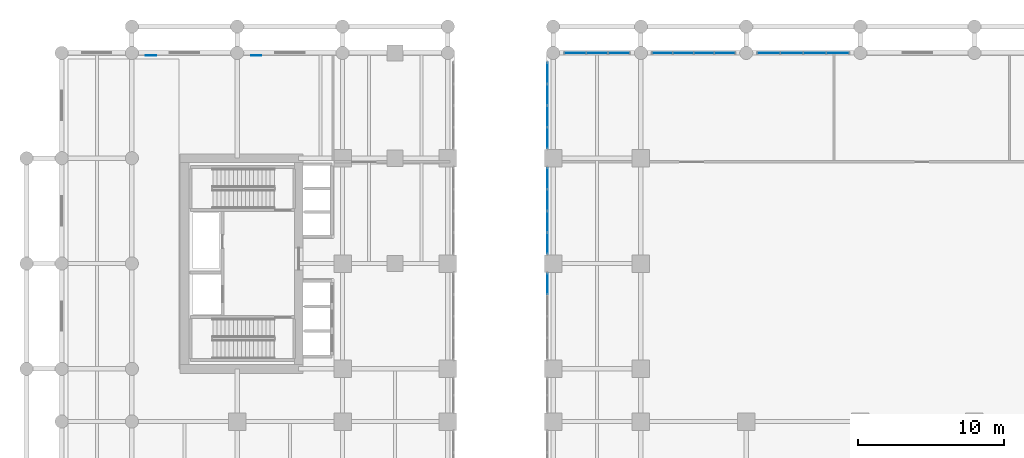
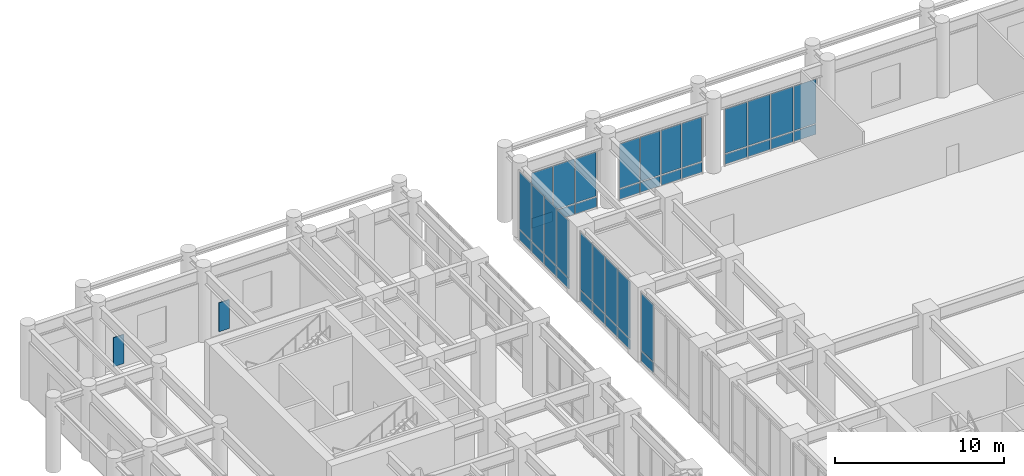
# One storey, part 13 of 23: 42 plates, 6 elements without a shape of their own.
"""IFC4 building model written with IfcOpenShell, lengths in metres."""

from ifc_helpers import new_model, si_unit, derived_unit, direction, frame, origin, origin_2d, place, context, subcontext, project, spatial, rectangle, extrude, source, transform, mapped, material, layer, layer_set, type_object, type_shapes, element, aggregate, save


model = new_model("IFC4")

# Units and contexts
model_context = context("Model", 3, precision=1e-05, world=origin(), true_north=direction((0.0, 1.0)))
body_context = subcontext(model_context, "Body", "Model", "MODEL_VIEW")
ifc_project = project(units=[si_unit("LENGTHUNIT", "METRE"), si_unit("AREAUNIT", "SQUARE_METRE"), si_unit("VOLUMEUNIT", "CUBIC_METRE"), si_unit("PLANEANGLEUNIT", "RADIAN"), si_unit("MASSUNIT", "GRAM", prefix="KILO"), si_unit("THERMODYNAMICTEMPERATUREUNIT", "KELVIN"), si_unit("POWERUNIT", "WATT"), derived_unit("THERMALTRANSMITTANCEUNIT", [(si_unit("POWERUNIT", "WATT"), 1), (si_unit("AREAUNIT", "SQUARE_METRE"), -1), (si_unit("THERMODYNAMICTEMPERATUREUNIT", "KELVIN"), -1)])], contexts=[model_context])

# Site, building, storey
site_placement = place(None, origin())
site = spatial("IfcSite", under=ifc_project, at=site_placement, CompositionType="ELEMENT")
building_placement = place(site_placement, origin())
building = spatial("IfcBuilding", under=site, at=building_placement, Name="Zahravan Archway Hotel and Residences", CompositionType="ELEMENT")
storey_placement = place(building_placement, frame((0.0, 0.0, 5.39990234375)))
storey = spatial("IfcBuildingStorey", under=building, at=storey_placement, Name="L01", CompositionType="ELEMENT", Elevation=5.39990234375)

# Curtain wall, plates
ifc_material_1 = material(Name="Bronze-Anodized Unitised Aluminium & Low-E Glass", Category="aluminium")
ifc_layer_1 = layer(ifc_material_1, 0.179931640625, Name="Bronze-Anodized Unitised Aluminium & Low-E Glass", Category="aluminium")
ifc_layer_set_1 = layer_set([ifc_layer_1], Name="Bronze-Anodized Unitised Aluminium & Low-E Glass")
curtain_wall_type = type_object("IfcCurtainWallType", Name="CW-POD-ARCH", PredefinedType="NOTDEFINED", material=ifc_layer_set_1)
curtain_wall_1_placement = place(storey_placement, origin())
curtain_wall_1 = element("IfcCurtainWall", 1, at=curtain_wall_1_placement, inside=storey, type_object=curtain_wall_type, Name="L01 Curtain Wall CW-POD-L01-1", PredefinedType="NOTDEFINED")
ifc_material_2 = material(Name="Insulated Terracotta Spandrel Panel", Category="masonry")
ifc_layer_2 = layer(ifc_material_2, 0.0400390625, Name="Insulated Terracotta Spandrel Panel", Category="masonry")
ifc_layer_set_2 = layer_set([ifc_layer_2], Name="Insulated Terracotta Spandrel Panel")
plate_type_1 = type_object("IfcPlateType", Name="CWP-SPN-40", PredefinedType="SHEET", material=ifc_layer_set_2)
shared_shape_1 = source(origin(), body_context, "Body", "SweptSolid", [
    extrude(rectangle(XDim=1.413330078125, YDim=0.0400390625, at=origin_2d()), origin(), (0.0, 0.0, 1.0), 0.7099609375),
])
type_shapes(plate_type_1, [shared_shape_1])
plate_1_placement = place(storey_placement, frame((30.306640625, 46.800048828125, 0.10009765625), z_axis=(0.0, 0.0, 1.0), x_axis=(1.0, 0.0, 0.0)))
plate_1 = element("IfcPlate", 2, at=plate_1_placement, type_object=plate_type_1, Name="CW-POD-L01-1 Spandrel Panel 0", PredefinedType="SHEET", context=body_context, shape_type="MappedRepresentation", body=[
    mapped(shared_shape_1, transform((0.0, 0.0, 0.0), scale=1.0)),
])
plate_2_placement = place(storey_placement, frame((31.800048828125, 46.800048828125, 0.10009765625), z_axis=(0.0, 0.0, 1.0), x_axis=(1.0, 0.0, 0.0)))
plate_2 = element("IfcPlate", 3, at=plate_2_placement, type_object=plate_type_1, Name="CW-POD-L01-1 Spandrel Panel 1", PredefinedType="SHEET", context=body_context, shape_type="MappedRepresentation", body=[
    mapped(shared_shape_1, transform((0.0, 0.0, 0.0), scale=1.0)),
])
plate_3_placement = place(storey_placement, frame((33.29345703125, 46.800048828125, 0.10009765625), z_axis=(0.0, 0.0, 1.0), x_axis=(1.0, 0.0, 0.0)))
plate_3 = element("IfcPlate", 4, at=plate_3_placement, type_object=plate_type_1, Name="CW-POD-L01-1 Spandrel Panel 2", PredefinedType="SHEET", context=body_context, shape_type="MappedRepresentation", body=[
    mapped(shared_shape_1, transform((0.0, 0.0, 0.0), scale=1.0)),
])

curtain_wall_2_placement = place(storey_placement, origin())
curtain_wall_2 = element("IfcCurtainWall", 5, at=curtain_wall_2_placement, inside=storey, type_object=curtain_wall_type, Name="L01 Curtain Wall CW-POD-L01-2", PredefinedType="NOTDEFINED")
shared_shape_2 = source(origin(), body_context, "Body", "SweptSolid", [
    extrude(rectangle(XDim=1.340087890625, YDim=0.0400390625, at=origin_2d()), origin(), (0.0, 0.0, 1.0), 0.7099609375),
])
plate_4_placement = place(storey_placement, frame((36.27001953125, 46.800048828125, 0.10009765625), z_axis=(0.0, 0.0, 1.0), x_axis=(1.0, 0.0, 0.0)))
plate_4 = element("IfcPlate", 6, at=plate_4_placement, type_object=plate_type_1, Name="CW-POD-L01-2 Spandrel Panel 0", PredefinedType="SHEET", context=body_context, shape_type="MappedRepresentation", body=[
    mapped(shared_shape_2, transform((0.0, 0.0, 0.0), scale=1.0)),
])
plate_5_placement = place(storey_placement, frame((37.68994140625, 46.800048828125, 0.10009765625), z_axis=(0.0, 0.0, 1.0), x_axis=(1.0, 0.0, 0.0)))
plate_5 = element("IfcPlate", 7, at=plate_5_placement, type_object=plate_type_1, Name="CW-POD-L01-2 Spandrel Panel 1", PredefinedType="SHEET", context=body_context, shape_type="MappedRepresentation", body=[
    mapped(shared_shape_2, transform((0.0, 0.0, 0.0), scale=1.0)),
])
plate_6_placement = place(storey_placement, frame((39.110107421875, 46.800048828125, 0.10009765625), z_axis=(0.0, 0.0, 1.0), x_axis=(1.0, 0.0, 0.0)))
plate_6 = element("IfcPlate", 8, at=plate_6_placement, type_object=plate_type_1, Name="CW-POD-L01-2 Spandrel Panel 2", PredefinedType="SHEET", context=body_context, shape_type="MappedRepresentation", body=[
    mapped(shared_shape_2, transform((0.0, 0.0, 0.0), scale=1.0)),
])
plate_7_placement = place(storey_placement, frame((40.530029296875, 46.800048828125, 0.10009765625), z_axis=(0.0, 0.0, 1.0), x_axis=(1.0, 0.0, 0.0)))
plate_7 = element("IfcPlate", 9, at=plate_7_placement, type_object=plate_type_1, Name="CW-POD-L01-2 Spandrel Panel 3", PredefinedType="SHEET", context=body_context, shape_type="MappedRepresentation", body=[
    mapped(shared_shape_2, transform((0.0, 0.0, 0.0), scale=1.0)),
])

curtain_wall_3_placement = place(storey_placement, origin())
curtain_wall_3 = element("IfcCurtainWall", 10, at=curtain_wall_3_placement, inside=storey, type_object=curtain_wall_type, Name="L01 Curtain Wall CW-POD-L01-3", PredefinedType="NOTDEFINED")
shared_shape_3 = source(origin(), body_context, "Body", "SweptSolid", [
    extrude(rectangle(XDim=1.489990234375, YDim=0.0400390625, at=origin_2d()), origin(), (0.0, 0.0, 1.0), 0.7099609375),
])
plate_8_placement = place(storey_placement, frame((43.544921875, 46.800048828125, 0.10009765625), z_axis=(0.0, 0.0, 1.0), x_axis=(1.0, 0.0, 0.0)))
plate_8 = element("IfcPlate", 11, at=plate_8_placement, type_object=plate_type_1, Name="CW-POD-L01-3 Spandrel Panel 0", PredefinedType="SHEET", context=body_context, shape_type="MappedRepresentation", body=[
    mapped(shared_shape_3, transform((0.0, 0.0, 0.0), scale=1.0)),
])
plate_9_placement = place(storey_placement, frame((45.114990234375, 46.800048828125, 0.10009765625), z_axis=(0.0, 0.0, 1.0), x_axis=(1.0, 0.0, 0.0)))
plate_9 = element("IfcPlate", 12, at=plate_9_placement, type_object=plate_type_1, Name="CW-POD-L01-3 Spandrel Panel 1", PredefinedType="SHEET", context=body_context, shape_type="MappedRepresentation", body=[
    mapped(shared_shape_3, transform((0.0, 0.0, 0.0), scale=1.0)),
])
plate_10_placement = place(storey_placement, frame((46.68505859375, 46.800048828125, 0.10009765625), z_axis=(0.0, 0.0, 1.0), x_axis=(1.0, 0.0, 0.0)))
plate_10 = element("IfcPlate", 13, at=plate_10_placement, type_object=plate_type_1, Name="CW-POD-L01-3 Spandrel Panel 2", PredefinedType="SHEET", context=body_context, shape_type="MappedRepresentation", body=[
    mapped(shared_shape_3, transform((0.0, 0.0, 0.0), scale=1.0)),
])
plate_11_placement = place(storey_placement, frame((48.2548828125, 46.800048828125, 0.10009765625), z_axis=(0.0, 0.0, 1.0), x_axis=(1.0, 0.0, 0.0)))
plate_11 = element("IfcPlate", 14, at=plate_11_placement, type_object=plate_type_1, Name="CW-POD-L01-3 Spandrel Panel 3", PredefinedType="SHEET", context=body_context, shape_type="MappedRepresentation", body=[
    mapped(shared_shape_3, transform((0.0, 0.0, 0.0), scale=1.0)),
])

# Curtain wall, plate
curtain_wall_4_placement = place(storey_placement, origin())
curtain_wall_4 = element("IfcCurtainWall", 15, at=curtain_wall_4_placement, inside=storey, type_object=curtain_wall_type, Name="L01 Curtain Wall CW-PORTE-L01-5", PredefinedType="NOTDEFINED")
shared_shape_4 = source(origin(), body_context, "Body", "SweptSolid", [
    extrude(rectangle(XDim=1.3974609375, YDim=0.0400390625, at=origin_2d()), origin(), (0.0, 0.0, 1.0), 0.7099609375),
])
plate_12_placement = place(storey_placement, frame((28.39990234375, 31.01611328125, 0.10009765625), z_axis=(0.0, 0.0, 1.0), x_axis=(0.0, 1.0, 0.0)))
plate_12 = element("IfcPlate", 16, at=plate_12_placement, type_object=plate_type_1, Name="CW-PORTE-L01-5 Spandrel Panel 3", PredefinedType="SHEET", context=body_context, shape_type="MappedRepresentation", body=[
    mapped(shared_shape_4, transform((0.0, 0.0, 0.0), scale=1.0)),
])

# Curtain wall, plates
curtain_wall_5_placement = place(storey_placement, origin())
curtain_wall_5 = element("IfcCurtainWall", 17, at=curtain_wall_5_placement, inside=storey, type_object=curtain_wall_type, Name="L01 Curtain Wall CW-PORTE-L01-6", PredefinedType="NOTDEFINED")
plate_13_placement = place(storey_placement, frame((28.39990234375, 33.783935546875, 0.10009765625), z_axis=(0.0, 0.0, 1.0), x_axis=(0.0, 1.0, 0.0)))
plate_13 = element("IfcPlate", 18, at=plate_13_placement, type_object=plate_type_1, Name="CW-PORTE-L01-6 Spandrel Panel 0", PredefinedType="SHEET", context=body_context, shape_type="MappedRepresentation", body=[
    mapped(shared_shape_4, transform((0.0, 0.0, 0.0), scale=1.0)),
])
plate_14_placement = place(storey_placement, frame((28.39990234375, 35.26123046875, 0.10009765625), z_axis=(0.0, 0.0, 1.0), x_axis=(0.0, 1.0, 0.0)))
plate_14 = element("IfcPlate", 19, at=plate_14_placement, type_object=plate_type_1, Name="CW-PORTE-L01-6 Spandrel Panel 1", PredefinedType="SHEET", context=body_context, shape_type="MappedRepresentation", body=[
    mapped(shared_shape_4, transform((0.0, 0.0, 0.0), scale=1.0)),
])
plate_15_placement = place(storey_placement, frame((28.39990234375, 36.73876953125, 0.10009765625), z_axis=(0.0, 0.0, 1.0), x_axis=(0.0, 1.0, 0.0)))
plate_15 = element("IfcPlate", 20, at=plate_15_placement, type_object=plate_type_1, Name="CW-PORTE-L01-6 Spandrel Panel 2", PredefinedType="SHEET", context=body_context, shape_type="MappedRepresentation", body=[
    mapped(shared_shape_4, transform((0.0, 0.0, 0.0), scale=1.0)),
])
plate_16_placement = place(storey_placement, frame((28.39990234375, 38.216064453125, 0.10009765625), z_axis=(0.0, 0.0, 1.0), x_axis=(0.0, 1.0, 0.0)))
plate_16 = element("IfcPlate", 21, at=plate_16_placement, type_object=plate_type_1, Name="CW-PORTE-L01-6 Spandrel Panel 3", PredefinedType="SHEET", context=body_context, shape_type="MappedRepresentation", body=[
    mapped(shared_shape_4, transform((0.0, 0.0, 0.0), scale=1.0)),
])

curtain_wall_6_placement = place(storey_placement, origin())
curtain_wall_6 = element("IfcCurtainWall", 22, at=curtain_wall_6_placement, inside=storey, type_object=curtain_wall_type, Name="L01 Curtain Wall CW-PORTE-L01-7", PredefinedType="NOTDEFINED")
plate_17_placement = place(storey_placement, frame((28.39990234375, 40.98388671875, 0.10009765625), z_axis=(0.0, 0.0, 1.0), x_axis=(0.0, 1.0, 0.0)))
plate_17 = element("IfcPlate", 23, at=plate_17_placement, type_object=plate_type_1, Name="CW-PORTE-L01-7 Spandrel Panel 0", PredefinedType="SHEET", context=body_context, shape_type="MappedRepresentation", body=[
    mapped(shared_shape_4, transform((0.0, 0.0, 0.0), scale=1.0)),
])
plate_18_placement = place(storey_placement, frame((28.39990234375, 42.461181640625, 0.10009765625), z_axis=(0.0, 0.0, 1.0), x_axis=(0.0, 1.0, 0.0)))
plate_18 = element("IfcPlate", 24, at=plate_18_placement, type_object=plate_type_1, Name="CW-PORTE-L01-7 Spandrel Panel 1", PredefinedType="SHEET", context=body_context, shape_type="MappedRepresentation", body=[
    mapped(shared_shape_4, transform((0.0, 0.0, 0.0), scale=1.0)),
])
plate_19_placement = place(storey_placement, frame((28.39990234375, 43.938720703125, 0.10009765625), z_axis=(0.0, 0.0, 1.0), x_axis=(0.0, 1.0, 0.0)))
plate_19 = element("IfcPlate", 25, at=plate_19_placement, type_object=plate_type_1, Name="CW-PORTE-L01-7 Spandrel Panel 2", PredefinedType="SHEET", context=body_context, shape_type="MappedRepresentation", body=[
    mapped(shared_shape_4, transform((0.0, 0.0, 0.0), scale=1.0)),
])
plate_20_placement = place(storey_placement, frame((28.39990234375, 45.416015625, 0.10009765625), z_axis=(0.0, 0.0, 1.0), x_axis=(0.0, 1.0, 0.0)))
plate_20 = element("IfcPlate", 26, at=plate_20_placement, type_object=plate_type_1, Name="CW-PORTE-L01-7 Spandrel Panel 3", PredefinedType="SHEET", context=body_context, shape_type="MappedRepresentation", body=[
    mapped(shared_shape_4, transform((0.0, 0.0, 0.0), scale=1.0)),
])

# Plate
ifc_material_3 = material(Name="Double-Silver Low-E Insulated Vision Glass", Category="glass")
ifc_layer_3 = layer(ifc_material_3, 0.028076171875, Name="Double-Silver Low-E Insulated Vision Glass", Category="glass")
ifc_layer_set_3 = layer_set([ifc_layer_3], Name="Double-Silver Low-E Insulated Vision Glass")
plate_type_2 = type_object("IfcPlateType", Name="CWP-GLZ-28", PredefinedType="CURTAIN_PANEL", material=ifc_layer_set_3)
shared_shape_5 = source(origin(), body_context, "Body", "SweptSolid", [
    extrude(rectangle(XDim=1.3974609375, YDim=0.028076171875, at=origin_2d()), origin(), (0.0, 0.0, 1.0), 4.110107421875),
])
plate_21_placement = place(storey_placement, frame((28.39990234375, 31.01611328125, 0.89013671875), z_axis=(0.0, 0.0, 1.0), x_axis=(0.0, 1.0, 0.0)))
plate_21 = element("IfcPlate", 27, at=plate_21_placement, type_object=plate_type_2, Name="CW-PORTE-L01-5 Low-E Vision Panel 3", PredefinedType="CURTAIN_PANEL", context=body_context, shape_type="MappedRepresentation", body=[
    mapped(shared_shape_5, transform((0.0, 0.0, 0.0), scale=1.0)),
])

aggregate(curtain_wall_4, [plate_12, plate_21])

plate_22_placement = place(storey_placement, frame((28.39990234375, 33.783935546875, 0.89013671875), z_axis=(0.0, 0.0, 1.0), x_axis=(0.0, 1.0, 0.0)))
plate_22 = element("IfcPlate", 28, at=plate_22_placement, type_object=plate_type_2, Name="CW-PORTE-L01-6 Low-E Vision Panel 0", PredefinedType="CURTAIN_PANEL", context=body_context, shape_type="MappedRepresentation", body=[
    mapped(shared_shape_5, transform((0.0, 0.0, 0.0), scale=1.0)),
])

plate_23_placement = place(storey_placement, frame((28.39990234375, 35.26123046875, 0.89013671875), z_axis=(0.0, 0.0, 1.0), x_axis=(0.0, 1.0, 0.0)))
plate_23 = element("IfcPlate", 29, at=plate_23_placement, type_object=plate_type_2, Name="CW-PORTE-L01-6 Low-E Vision Panel 1", PredefinedType="CURTAIN_PANEL", context=body_context, shape_type="MappedRepresentation", body=[
    mapped(shared_shape_5, transform((0.0, 0.0, 0.0), scale=1.0)),
])

plate_24_placement = place(storey_placement, frame((28.39990234375, 36.73876953125, 0.89013671875), z_axis=(0.0, 0.0, 1.0), x_axis=(0.0, 1.0, 0.0)))
plate_24 = element("IfcPlate", 30, at=plate_24_placement, type_object=plate_type_2, Name="CW-PORTE-L01-6 Low-E Vision Panel 2", PredefinedType="CURTAIN_PANEL", context=body_context, shape_type="MappedRepresentation", body=[
    mapped(shared_shape_5, transform((0.0, 0.0, 0.0), scale=1.0)),
])

plate_25_placement = place(storey_placement, frame((28.39990234375, 38.216064453125, 0.89013671875), z_axis=(0.0, 0.0, 1.0), x_axis=(0.0, 1.0, 0.0)))
plate_25 = element("IfcPlate", 31, at=plate_25_placement, type_object=plate_type_2, Name="CW-PORTE-L01-6 Low-E Vision Panel 3", PredefinedType="CURTAIN_PANEL", context=body_context, shape_type="MappedRepresentation", body=[
    mapped(shared_shape_5, transform((0.0, 0.0, 0.0), scale=1.0)),
])

aggregate(curtain_wall_5, [plate_13, plate_22, plate_14, plate_23, plate_15, plate_24, plate_16, plate_25])

plate_26_placement = place(storey_placement, frame((28.39990234375, 40.98388671875, 0.89013671875), z_axis=(0.0, 0.0, 1.0), x_axis=(0.0, 1.0, 0.0)))
plate_26 = element("IfcPlate", 32, at=plate_26_placement, type_object=plate_type_2, Name="CW-PORTE-L01-7 Low-E Vision Panel 0", PredefinedType="CURTAIN_PANEL", context=body_context, shape_type="MappedRepresentation", body=[
    mapped(shared_shape_5, transform((0.0, 0.0, 0.0), scale=1.0)),
])

plate_27_placement = place(storey_placement, frame((28.39990234375, 42.461181640625, 0.89013671875), z_axis=(0.0, 0.0, 1.0), x_axis=(0.0, 1.0, 0.0)))
plate_27 = element("IfcPlate", 33, at=plate_27_placement, type_object=plate_type_2, Name="CW-PORTE-L01-7 Low-E Vision Panel 1", PredefinedType="CURTAIN_PANEL", context=body_context, shape_type="MappedRepresentation", body=[
    mapped(shared_shape_5, transform((0.0, 0.0, 0.0), scale=1.0)),
])

plate_28_placement = place(storey_placement, frame((28.39990234375, 43.938720703125, 0.89013671875), z_axis=(0.0, 0.0, 1.0), x_axis=(0.0, 1.0, 0.0)))
plate_28 = element("IfcPlate", 34, at=plate_28_placement, type_object=plate_type_2, Name="CW-PORTE-L01-7 Low-E Vision Panel 2", PredefinedType="CURTAIN_PANEL", context=body_context, shape_type="MappedRepresentation", body=[
    mapped(shared_shape_5, transform((0.0, 0.0, 0.0), scale=1.0)),
])

plate_29_placement = place(storey_placement, frame((28.39990234375, 45.416015625, 0.89013671875), z_axis=(0.0, 0.0, 1.0), x_axis=(0.0, 1.0, 0.0)))
plate_29 = element("IfcPlate", 35, at=plate_29_placement, type_object=plate_type_2, Name="CW-PORTE-L01-7 Low-E Vision Panel 3", PredefinedType="CURTAIN_PANEL", context=body_context, shape_type="MappedRepresentation", body=[
    mapped(shared_shape_5, transform((0.0, 0.0, 0.0), scale=1.0)),
])

aggregate(curtain_wall_6, [plate_17, plate_26, plate_18, plate_27, plate_19, plate_28, plate_20, plate_29])

shared_shape_6 = source(origin(), body_context, "Body", "SweptSolid", [
    extrude(rectangle(XDim=1.413330078125, YDim=0.028076171875, at=origin_2d()), origin(), (0.0, 0.0, 1.0), 3.195068359375),
])
plate_30_placement = place(storey_placement, frame((30.306640625, 46.800048828125, 0.89013671875), z_axis=(0.0, 0.0, 1.0), x_axis=(1.0, 0.0, 0.0)))
plate_30 = element("IfcPlate", 36, at=plate_30_placement, type_object=plate_type_2, Name="CW-POD-L01-1 Low-E Vision Panel 0", PredefinedType="CURTAIN_PANEL", context=body_context, shape_type="MappedRepresentation", body=[
    mapped(shared_shape_6, transform((0.0, 0.0, 0.0), scale=1.0)),
])

plate_31_placement = place(storey_placement, frame((31.800048828125, 46.800048828125, 0.89013671875), z_axis=(0.0, 0.0, 1.0), x_axis=(1.0, 0.0, 0.0)))
plate_31 = element("IfcPlate", 37, at=plate_31_placement, type_object=plate_type_2, Name="CW-POD-L01-1 Low-E Vision Panel 1", PredefinedType="CURTAIN_PANEL", context=body_context, shape_type="MappedRepresentation", body=[
    mapped(shared_shape_6, transform((0.0, 0.0, 0.0), scale=1.0)),
])

plate_32_placement = place(storey_placement, frame((33.29345703125, 46.800048828125, 0.89013671875), z_axis=(0.0, 0.0, 1.0), x_axis=(1.0, 0.0, 0.0)))
plate_32 = element("IfcPlate", 38, at=plate_32_placement, type_object=plate_type_2, Name="CW-POD-L01-1 Low-E Vision Panel 2", PredefinedType="CURTAIN_PANEL", context=body_context, shape_type="MappedRepresentation", body=[
    mapped(shared_shape_6, transform((0.0, 0.0, 0.0), scale=1.0)),
])

aggregate(curtain_wall_1, [plate_1, plate_30, plate_2, plate_31, plate_3, plate_32])

shared_shape_7 = source(origin(), body_context, "Body", "SweptSolid", [
    extrude(rectangle(XDim=1.340087890625, YDim=0.028076171875, at=origin_2d()), origin(), (0.0, 0.0, 1.0), 3.195068359375),
])
plate_33_placement = place(storey_placement, frame((36.27001953125, 46.800048828125, 0.89013671875), z_axis=(0.0, 0.0, 1.0), x_axis=(1.0, 0.0, 0.0)))
plate_33 = element("IfcPlate", 39, at=plate_33_placement, type_object=plate_type_2, Name="CW-POD-L01-2 Low-E Vision Panel 0", PredefinedType="CURTAIN_PANEL", context=body_context, shape_type="MappedRepresentation", body=[
    mapped(shared_shape_7, transform((0.0, 0.0, 0.0), scale=1.0)),
])

plate_34_placement = place(storey_placement, frame((37.68994140625, 46.800048828125, 0.89013671875), z_axis=(0.0, 0.0, 1.0), x_axis=(1.0, 0.0, 0.0)))
plate_34 = element("IfcPlate", 40, at=plate_34_placement, type_object=plate_type_2, Name="CW-POD-L01-2 Low-E Vision Panel 1", PredefinedType="CURTAIN_PANEL", context=body_context, shape_type="MappedRepresentation", body=[
    mapped(shared_shape_7, transform((0.0, 0.0, 0.0), scale=1.0)),
])

plate_35_placement = place(storey_placement, frame((39.110107421875, 46.800048828125, 0.89013671875), z_axis=(0.0, 0.0, 1.0), x_axis=(1.0, 0.0, 0.0)))
plate_35 = element("IfcPlate", 41, at=plate_35_placement, type_object=plate_type_2, Name="CW-POD-L01-2 Low-E Vision Panel 2", PredefinedType="CURTAIN_PANEL", context=body_context, shape_type="MappedRepresentation", body=[
    mapped(shared_shape_7, transform((0.0, 0.0, 0.0), scale=1.0)),
])

plate_36_placement = place(storey_placement, frame((40.530029296875, 46.800048828125, 0.89013671875), z_axis=(0.0, 0.0, 1.0), x_axis=(1.0, 0.0, 0.0)))
plate_36 = element("IfcPlate", 42, at=plate_36_placement, type_object=plate_type_2, Name="CW-POD-L01-2 Low-E Vision Panel 3", PredefinedType="CURTAIN_PANEL", context=body_context, shape_type="MappedRepresentation", body=[
    mapped(shared_shape_7, transform((0.0, 0.0, 0.0), scale=1.0)),
])

aggregate(curtain_wall_2, [plate_4, plate_33, plate_5, plate_34, plate_6, plate_35, plate_7, plate_36])

shared_shape_8 = source(origin(), body_context, "Body", "SweptSolid", [
    extrude(rectangle(XDim=1.489990234375, YDim=0.028076171875, at=origin_2d()), origin(), (0.0, 0.0, 1.0), 3.195068359375),
])
plate_37_placement = place(storey_placement, frame((43.544921875, 46.800048828125, 0.89013671875), z_axis=(0.0, 0.0, 1.0), x_axis=(1.0, 0.0, 0.0)))
plate_37 = element("IfcPlate", 43, at=plate_37_placement, type_object=plate_type_2, Name="CW-POD-L01-3 Low-E Vision Panel 0", PredefinedType="CURTAIN_PANEL", context=body_context, shape_type="MappedRepresentation", body=[
    mapped(shared_shape_8, transform((0.0, 0.0, 0.0), scale=1.0)),
])

plate_38_placement = place(storey_placement, frame((45.114990234375, 46.800048828125, 0.89013671875), z_axis=(0.0, 0.0, 1.0), x_axis=(1.0, 0.0, 0.0)))
plate_38 = element("IfcPlate", 44, at=plate_38_placement, type_object=plate_type_2, Name="CW-POD-L01-3 Low-E Vision Panel 1", PredefinedType="CURTAIN_PANEL", context=body_context, shape_type="MappedRepresentation", body=[
    mapped(shared_shape_8, transform((0.0, 0.0, 0.0), scale=1.0)),
])

plate_39_placement = place(storey_placement, frame((46.68505859375, 46.800048828125, 0.89013671875), z_axis=(0.0, 0.0, 1.0), x_axis=(1.0, 0.0, 0.0)))
plate_39 = element("IfcPlate", 45, at=plate_39_placement, type_object=plate_type_2, Name="CW-POD-L01-3 Low-E Vision Panel 2", PredefinedType="CURTAIN_PANEL", context=body_context, shape_type="MappedRepresentation", body=[
    mapped(shared_shape_8, transform((0.0, 0.0, 0.0), scale=1.0)),
])

plate_40_placement = place(storey_placement, frame((48.2548828125, 46.800048828125, 0.89013671875), z_axis=(0.0, 0.0, 1.0), x_axis=(1.0, 0.0, 0.0)))
plate_40 = element("IfcPlate", 46, at=plate_40_placement, type_object=plate_type_2, Name="CW-POD-L01-3 Low-E Vision Panel 3", PredefinedType="CURTAIN_PANEL", context=body_context, shape_type="MappedRepresentation", body=[
    mapped(shared_shape_8, transform((0.0, 0.0, 0.0), scale=1.0)),
])

aggregate(curtain_wall_3, [plate_8, plate_37, plate_9, plate_38, plate_10, plate_39, plate_11, plate_40])

# Plates
ifc_material_4 = material(Name="Perforated Cast Bronze Jali Lattice")
ifc_layer_4 = layer(ifc_material_4, 0.044921875, Name="Perforated Cast Bronze Jali Lattice")
ifc_layer_set_4 = layer_set([ifc_layer_4], Name="Perforated Cast Bronze Jali Lattice")
plate_type_3 = type_object("IfcPlateType", Name="PLT-JALI-BAY", PredefinedType="USERDEFINED", material=ifc_layer_set_4)
shared_shape_9 = source(origin(), body_context, "Body", "SweptSolid", [
    extrude(rectangle(XDim=0.699951171875, YDim=0.044921875, at=origin_2d()), origin(), (0.0, 0.0, 1.0), 2.10009765625),
])
type_shapes(plate_type_3, [shared_shape_9])
for number, where, z_axis, x_axis, name in (
    (47, (1.300048828125, 46.6220703125, 0.25), (0.0, 0.0, 1.0), (1.0, 0.0, 0.0), "L01 Podium Mughal Jali Pier Screen 09"),
    (48, (8.5, 46.6220703125, 0.25), (0.0, 0.0, 1.0), (1.0, 0.0, 0.0), "L01 Podium Mughal Jali Pier Screen 10"),
):
    element("IfcPlate", number, at=place(storey_placement, frame(where, z_axis=z_axis, x_axis=x_axis)), inside=storey, type_object=plate_type_3, Name=name, ObjectType="SCREEN", PredefinedType="USERDEFINED", context=body_context, shape_type="MappedRepresentation", body=[
        mapped(shared_shape_9, transform((0.0, 0.0, 0.0), scale=1.0)),
    ])

save(model, "model.ifc")
